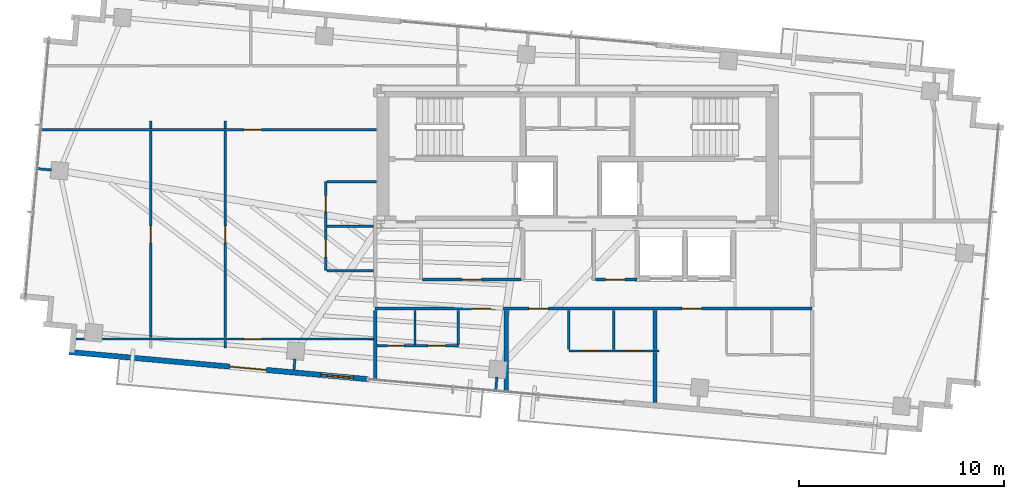
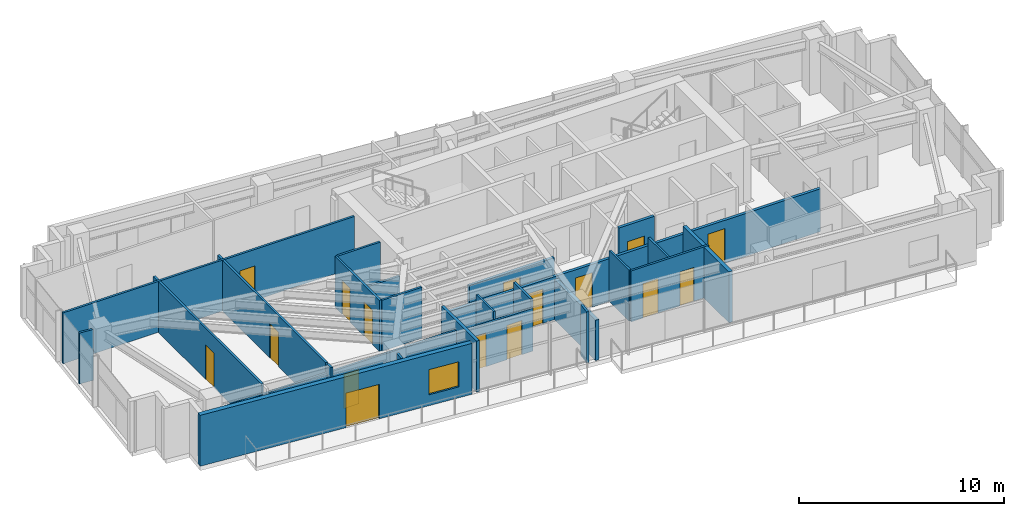
# One storey, part 16 of 22: 28 walls, 16 doors, 1 window, 17 openings.
"""IFC4 building model written with IfcOpenShell, lengths in metres."""

from ifc_helpers import new_model, si_unit, direction, frame, frame_2d, origin, place, context, subcontext, project, spatial, rectangle, extrude, source, transform, mapped, material, layer, layer_set, type_object, type_shapes, element, fill, save


model = new_model("IFC4")

# Units and contexts
model_context = context("Model", 3, precision=1e-05, world=origin(), true_north=direction((0.0, 1.0)))
body_context = subcontext(model_context, "Body", "Model", "MODEL_VIEW")
ifc_project = project(units=[si_unit("LENGTHUNIT", "METRE"), si_unit("AREAUNIT", "SQUARE_METRE"), si_unit("VOLUMEUNIT", "CUBIC_METRE"), si_unit("PLANEANGLEUNIT", "RADIAN"), si_unit("MASSUNIT", "GRAM", prefix="KILO")], contexts=[model_context])

# Site, building, storey
site_placement = place(None, origin())
site = spatial("IfcSite", under=ifc_project, at=site_placement, CompositionType="ELEMENT")
building_placement = place(site_placement, origin())
building = spatial("IfcBuilding", under=site, at=building_placement, Name="Astriad Promenade Condominiums", CompositionType="ELEMENT")
storey_placement = place(building_placement, frame((0.0, 0.0, 233.10009765625)))
storey = spatial("IfcBuildingStorey", under=building, at=storey_placement, Name="L67", CompositionType="ELEMENT", Elevation=233.10009765625)

# Wall, openings, doors
ifc_material_1 = material(Name="Fire-Rated Gypsum Partition")
ifc_layer_1 = layer(ifc_material_1, 0.159912109375)
ifc_layer_set_1 = layer_set([ifc_layer_1], Name="Fire-Rated Gypsum Partition")
wall_type_1 = type_object("IfcWallType", Name="WALL-CORR-160", PredefinedType="PARTITIONING", material=ifc_layer_set_1)
wall_1_placement = place(storey_placement, frame((26.1201171875, 13.280029296875, 0.0), z_axis=(0.0, 0.0, 1.0), x_axis=(1.0, 0.0, 0.0)))
wall_1 = element("IfcWall", 1, at=wall_1_placement, inside=storey, type_object=wall_type_1, Name="PT-COR-S-L67", PredefinedType="PARTITIONING", context=body_context, shape_type="SweptSolid", body=[
    extrude(rectangle(XDim=21.329833984375, YDim=0.159912109375, at=frame_2d((10.6650390625, 0.0))), origin(), (0.0, 0.0, 1.0), 2.555908203125),
])
opening_1_placement = place(wall_1_placement, frame((4.7041015625, 0.0, 0.0)))
opening_1 = element("IfcOpeningElement", 2, at=opening_1_placement, cuts=wall_1, Name="Opening FD60-APT-095", PredefinedType="OPENING", context=body_context, shape_type="SweptSolid", body=[
    extrude(rectangle(XDim=0.949951171875, YDim=2.06005859375, at=frame_2d((0.47509765625, 1.030029296875))), frame((0.0, 0.08984375, 0.0), z_axis=(0.0, -1.0, 0.0), x_axis=(1.0, 0.0, 0.0)), (0.0, 0.0, 1.0), 0.179931640625),
])
opening_2_placement = place(wall_1_placement, frame((7.5, 0.0, 0.0)))
opening_2 = element("IfcOpeningElement", 3, at=opening_2_placement, cuts=wall_1, Name="Opening FD60-APT-095", PredefinedType="OPENING", context=body_context, shape_type="SweptSolid", body=[
    extrude(rectangle(XDim=0.949951171875, YDim=2.06005859375, at=frame_2d((0.47509765625, 1.030029296875))), frame((0.0, 0.08984375, 0.0), z_axis=(0.0, -1.0, 0.0), x_axis=(1.0, 0.0, 0.0)), (0.0, 0.0, 1.0), 0.179931640625),
])
opening_3_placement = place(wall_1_placement, frame((14.97607421875, 0.0, 0.0)))
opening_3 = element("IfcOpeningElement", 4, at=opening_3_placement, cuts=wall_1, Name="Opening FD60-APT-095", PredefinedType="OPENING", context=body_context, shape_type="SweptSolid", body=[
    extrude(rectangle(XDim=0.949951171875, YDim=2.06005859375, at=frame_2d((0.47509765625, 1.030029296875))), frame((0.0, 0.08984375, 0.0), z_axis=(0.0, -1.0, 0.0), x_axis=(1.0, 0.0, 0.0)), (0.0, 0.0, 1.0), 0.179931640625),
])
ifc_material_2 = material(Name="Solid-Core Acoustic Timber Residence Entry Door", Category="wood")
door_type_1 = type_object("IfcDoorType", Name="FD60-APT-095", OperationType="NOTDEFINED", PredefinedType="DOOR", material=ifc_material_2)
shared_shape_1 = source(origin(), body_context, "Body", "SweptSolid", [
    extrude(rectangle(XDim=0.949951171875, YDim=2.06005859375, at=frame_2d((0.47509765625, 1.030029296875))), frame((0.0, 0.02490234375, 0.0), z_axis=(0.0, -1.0, 0.0), x_axis=(1.0, 0.0, 0.0)), (0.0, 0.0, 1.0), 0.050048828125),
])
type_shapes(door_type_1, [shared_shape_1])
door_1_placement = place(opening_1_placement, origin())
door_1 = element("IfcDoor", 5, at=door_1_placement, inside=storey, type_object=door_type_1, Name="D-ENT-L67-S1", OperationType="SINGLE_SWING_LEFT", OverallHeight=2.06005859375, OverallWidth=0.949951171875, PredefinedType="DOOR", context=body_context, shape_type="MappedRepresentation", body=[
    mapped(shared_shape_1, transform((0.0, 0.0, 0.0), scale=1.0)),
])
fill(opening_1, door_1)
door_2_placement = place(opening_2_placement, origin())
door_2 = element("IfcDoor", 6, at=door_2_placement, inside=storey, type_object=door_type_1, Name="D-ENT-L67-S2", OperationType="SINGLE_SWING_RIGHT", OverallHeight=2.06005859375, OverallWidth=0.949951171875, PredefinedType="DOOR", context=body_context, shape_type="MappedRepresentation", body=[
    mapped(shared_shape_1, transform((0.0, 0.0, 0.0), scale=1.0)),
])
fill(opening_2, door_2)
door_3_placement = place(opening_3_placement, origin())
door_3 = element("IfcDoor", 7, at=door_3_placement, inside=storey, type_object=door_type_1, Name="D-ENT-L67-S3", OperationType="SINGLE_SWING_LEFT", OverallHeight=2.06005859375, OverallWidth=0.949951171875, PredefinedType="DOOR", context=body_context, shape_type="MappedRepresentation", body=[
    mapped(shared_shape_1, transform((0.0, 0.0, 0.0), scale=1.0)),
])
fill(opening_3, door_3)

# Wall
wall_2_placement = place(storey_placement, frame((26.1201171875, 9.75146484375, 0.0), z_axis=(0.0, 0.0, 1.0), x_axis=(0.0, 1.0, 0.0)))
element("IfcWall", 8, at=wall_2_placement, inside=storey, type_object=wall_type_1, Name="PT-COR-W-L67", PredefinedType="PARTITIONING", context=body_context, shape_type="SweptSolid", body=[
    extrude(rectangle(XDim=3.446533203125, YDim=0.159912109375, at=frame_2d((1.72314453125, 0.0))), origin(), (0.0, 0.0, 1.0), 3.039794921875),
])

# Wall, opening, door
wall_3_placement = place(storey_placement, frame((28.44189453125, 14.699951171875, 0.0), z_axis=(0.0, 0.0, 1.0), x_axis=(1.0, 0.0, 0.0)))
wall_3 = element("IfcWall", 9, at=wall_3_placement, inside=storey, type_object=wall_type_1, Name="PT-Z3REC-S-L67", PredefinedType="PARTITIONING", context=body_context, shape_type="SweptSolid", body=[
    extrude(rectangle(XDim=4.796142578125, YDim=0.159912109375, at=frame_2d((2.39794921875, 0.0))), origin(), (0.0, 0.0, 1.0), 2.555908203125),
])
opening_4_placement = place(wall_3_placement, frame((1.923095703125, 0.0, 0.0)))
opening_4 = element("IfcOpeningElement", 10, at=opening_4_placement, cuts=wall_3, Name="Opening FD60-APT-095", PredefinedType="OPENING", context=body_context, shape_type="SweptSolid", body=[
    extrude(rectangle(XDim=0.949951171875, YDim=2.06005859375, at=frame_2d((0.47509765625, 1.030029296875))), frame((0.0, 0.08984375, 0.0), z_axis=(0.0, -1.0, 0.0), x_axis=(1.0, 0.0, 0.0)), (0.0, 0.0, 1.0), 0.179931640625),
])
door_4_placement = place(opening_4_placement, origin())
door_4 = element("IfcDoor", 11, at=door_4_placement, inside=storey, type_object=door_type_1, Name="D-Z3R-L67", OperationType="SINGLE_SWING_LEFT", OverallHeight=2.06005859375, OverallWidth=0.949951171875, PredefinedType="DOOR", context=body_context, shape_type="MappedRepresentation", body=[
    mapped(shared_shape_1, transform((0.0, 0.0, 0.0), scale=1.0)),
])
fill(opening_4, door_4)

wall_4_placement = place(storey_placement, frame((36.882080078125, 14.699951171875, 0.0), z_axis=(0.0, 0.0, 1.0), x_axis=(1.0, 0.0, 0.0)))
wall_4 = element("IfcWall", 12, at=wall_4_placement, inside=storey, type_object=wall_type_1, Name="PT-Z3R2-S-L67", PredefinedType="PARTITIONING", context=body_context, shape_type="SweptSolid", body=[
    extrude(rectangle(XDim=2.017822265625, YDim=0.159912109375, at=frame_2d((1.0087890625, 0.0))), origin(), (0.0, 0.0, 1.0), 3.039794921875),
])
opening_5_placement = place(wall_4_placement, frame((0.48291015625, 0.0, 0.0)))
opening_5 = element("IfcOpeningElement", 13, at=opening_5_placement, cuts=wall_4, Name="Opening FD60-APT-095", PredefinedType="OPENING", context=body_context, shape_type="SweptSolid", body=[
    extrude(rectangle(XDim=0.949951171875, YDim=2.06005859375, at=frame_2d((0.47509765625, 1.030029296875))), frame((0.0, 0.08984375, 0.0), z_axis=(0.0, -1.0, 0.0), x_axis=(1.0, 0.0, 0.0)), (0.0, 0.0, 1.0), 0.179931640625),
])
door_5_placement = place(opening_5_placement, origin())
door_5 = element("IfcDoor", 14, at=door_5_placement, inside=storey, type_object=door_type_1, Name="D-Z3N-L67", OperationType="SINGLE_SWING_RIGHT", OverallHeight=2.06005859375, OverallWidth=0.949951171875, PredefinedType="DOOR", context=body_context, shape_type="MappedRepresentation", body=[
    mapped(shared_shape_1, transform((0.0, 0.0, 0.0), scale=1.0)),
])
fill(opening_5, door_5)

# Walls
ifc_material_3 = material(Name="Acoustic Double-Stud Gypsum Partition")
ifc_layer_2 = layer(ifc_material_3, 0.199951171875)
ifc_layer_set_2 = layer_set([ifc_layer_2], Name="Acoustic Double-Stud Gypsum Partition")
wall_type_2 = type_object("IfcWallType", Name="WALL-DEMISING-200", PredefinedType="PARTITIONING", material=ifc_layer_set_2)
wall_5_placement = place(storey_placement, frame((32.51904296875, 9.169189453125, 0.0), z_axis=(0.0, 0.0, 1.0), x_axis=(0.0, 1.0, 0.0)))
element("IfcWall", 15, at=wall_5_placement, inside=storey, type_object=wall_type_2, Name="PT-DEM-S1-L67", PredefinedType="PARTITIONING", context=body_context, shape_type="SweptSolid", body=[
    extrude(rectangle(XDim=4.02880859375, YDim=0.199951171875, at=frame_2d((2.014404296875, 0.0))), origin(), (0.0, 0.0, 1.0), 2.400146484375),
])
wall_6_placement = place(storey_placement, frame((39.77099609375, 8.69189453125, 0.0), z_axis=(0.0, 0.0, 1.0), x_axis=(0.0, 1.0, 0.0)))
element("IfcWall", 16, at=wall_6_placement, inside=storey, type_object=wall_type_2, Name="PT-DEM-S2-L67", PredefinedType="PARTITIONING", context=body_context, shape_type="SweptSolid", body=[
    extrude(rectangle(XDim=2.45703125, YDim=0.199951171875, at=frame_2d((1.228515625, 0.0))), origin(), (0.0, 0.0, 1.0), 3.039794921875),
])
wall_7_placement = place(storey_placement, frame((39.77099609375, 11.27294921875, 0.0), z_axis=(0.0, 0.0, 1.0), x_axis=(0.0, 1.0, 0.0)))
element("IfcWall", 17, at=wall_7_placement, inside=storey, type_object=wall_type_2, Name="PT-DEM-S2-L67-S2", PredefinedType="PARTITIONING", context=body_context, shape_type="SweptSolid", body=[
    extrude(rectangle(XDim=1.925048828125, YDim=0.199951171875, at=frame_2d((0.96240234375, 0.0))), origin(), (0.0, 0.0, 1.0), 3.039794921875),
])

# Wall, openings, door, window
ifc_material_4 = material(Name="Precast concrete C50/60", Category="concrete")
ifc_layer_3 = layer(ifc_material_4, 0.260009765625)
ifc_layer_set_3 = layer_set([ifc_layer_3], Name="Precast concrete C50/60")
wall_type_3 = type_object("IfcWallType", Name="WALL-EXT-TWR-260", PredefinedType="STANDARD", material=ifc_layer_set_3)
wall_8_placement = place(storey_placement, frame((25.760986328125, 9.83447265625, 0.0), z_axis=(0.0, 0.0, 1.0), x_axis=(-0.995884584572, 0.090630536861, 0.0)))
wall_8 = element("IfcWall", 18, at=wall_8_placement, inside=storey, type_object=wall_type_3, Name="W-EXT-L67-S2", PredefinedType="STANDARD", context=body_context, shape_type="SweptSolid", body=[
    extrude(rectangle(XDim=14.630126953125, YDim=0.260009765625, at=frame_2d((7.31494140625, 0.0))), origin(), (0.0, 0.0, 1.0), 3.039794921875),
])
opening_6_placement = place(wall_8_placement, frame((4.969970703125, 0.0, 0.0)))
opening_6 = element("IfcOpeningElement", 19, at=opening_6_placement, cuts=wall_8, Name="Opening BD-1822-SLD", PredefinedType="OPENING", context=body_context, shape_type="SweptSolid", body=[
    extrude(rectangle(XDim=1.800048828125, YDim=2.06005859375, at=frame_2d((0.89990234375, 1.030029296875))), frame((0.0, 0.139892578125, 0.0), z_axis=(0.0, -1.0, 0.0), x_axis=(1.0, 0.0, 0.0)), (0.0, 0.0, 1.0), 0.280029296875),
])
opening_7_placement = place(wall_8_placement, frame((0.699951171875, 0.0, 0.64990234375)))
opening_7 = element("IfcOpeningElement", 20, at=opening_7_placement, cuts=wall_8, Name="Opening WIN-TWR-1620", PredefinedType="OPENING", context=body_context, shape_type="SweptSolid", body=[
    extrude(rectangle(XDim=1.60009765625, YDim=1.5, at=frame_2d((0.800048828125, 0.75))), frame((0.0, 0.139892578125, 0.0), z_axis=(0.0, -1.0, 0.0), x_axis=(1.0, 0.0, 0.0)), (0.0, 0.0, 1.0), 0.280029296875),
])
ifc_material_5 = material(Name="Thermally Broken Aluminium Sliding Balcony Door", Category="aluminium")
door_type_2 = type_object("IfcDoorType", Name="BD-1822-SLD", OperationType="NOTDEFINED", PredefinedType="DOOR", material=ifc_material_5)
shared_shape_2 = source(origin(), body_context, "Body", "SweptSolid", [
    extrude(rectangle(XDim=1.800048828125, YDim=2.06005859375, at=frame_2d((0.89990234375, 1.030029296875))), frame((0.0, 0.02490234375, 0.0), z_axis=(0.0, -1.0, 0.0), x_axis=(1.0, 0.0, 0.0)), (0.0, 0.0, 1.0), 0.050048828125),
])
type_shapes(door_type_2, [shared_shape_2])
door_6_placement = place(opening_6_placement, origin())
door_6 = element("IfcDoor", 21, at=door_6_placement, inside=storey, type_object=door_type_2, Name="BD-L67-SW", OperationType="SLIDING_TO_LEFT", OverallHeight=2.06005859375, OverallWidth=1.800048828125, PredefinedType="DOOR", context=body_context, shape_type="MappedRepresentation", body=[
    mapped(shared_shape_2, transform((0.0, 0.0, 0.0), scale=1.0)),
])
fill(opening_6, door_6)
ifc_material_6 = material(Name="Dark Tinted Triple-Glazed Aluminium Window", Category="aluminium")
window_type = type_object("IfcWindowType", Name="WIN-TWR-1620", PartitioningType="SINGLE_PANEL", PredefinedType="WINDOW", material=ifc_material_6)
shared_shape_3 = source(origin(), body_context, "Body", "SweptSolid", [
    extrude(rectangle(XDim=1.60009765625, YDim=1.5, at=frame_2d((0.800048828125, 0.75))), frame((0.0, 0.030029296875, 0.0), z_axis=(0.0, -1.0, 0.0), x_axis=(1.0, 0.0, 0.0)), (0.0, 0.0, 1.0), 0.06005859375),
])
type_shapes(window_type, [shared_shape_3])
window_placement = place(opening_7_placement, origin())
window = element("IfcWindow", 22, at=window_placement, inside=storey, type_object=window_type, Name="WIN-L67-SW", OverallHeight=1.5, OverallWidth=1.60009765625, PartitioningType="SINGLE_PANEL", PredefinedType="WINDOW", context=body_context, shape_type="MappedRepresentation", body=[
    mapped(shared_shape_3, transform((0.0, 0.0, 0.0), scale=1.0)),
])
fill(opening_7, window)

# Wall, openings, doors
ifc_material_7 = material(Name="Acoustic Metal-Stud Gypsum Partition")
ifc_layer_4 = layer(ifc_material_7, 0.1201171875)
ifc_layer_set_4 = layer_set([ifc_layer_4], Name="Acoustic Metal-Stud Gypsum Partition")
wall_type_4 = type_object("IfcWallType", Name="WALL-PART-120", PredefinedType="PARTITIONING", material=ifc_layer_set_4)
wall_9_placement = place(storey_placement, frame((26.201904296875, 11.4599609375, 0.0), z_axis=(0.0, 0.0, 1.0), x_axis=(1.0, 0.0, 0.0)))
wall_9 = element("IfcWall", 23, at=wall_9_placement, inside=storey, type_object=wall_type_4, Name="PT-L67-S1-PS", PredefinedType="PARTITIONING", context=body_context, shape_type="SweptSolid", body=[
    extrude(rectangle(XDim=3.97802734375, YDim=0.1201171875, at=frame_2d((1.989013671875, 0.0))), origin(), (0.0, 0.0, 1.0), 2.555908203125),
])
opening_8_placement = place(wall_9_placement, frame((0.531005859375, 0.0, 0.0)))
opening_8 = element("IfcOpeningElement", 24, at=opening_8_placement, cuts=wall_9, Name="Opening D-WET-080", PredefinedType="OPENING", context=body_context, shape_type="SweptSolid", body=[
    extrude(rectangle(XDim=0.800048828125, YDim=2.02001953125, at=frame_2d((0.39990234375, 1.010009765625))), frame((0.0, 0.070068359375, 0.0), z_axis=(0.0, -1.0, 0.0), x_axis=(1.0, 0.0, 0.0)), (0.0, 0.0, 1.0), 0.14013671875),
])
opening_9_placement = place(wall_9_placement, frame((2.49609375, 0.0, 0.0)))
opening_9 = element("IfcOpeningElement", 25, at=opening_9_placement, cuts=wall_9, Name="Opening D-INT-085", PredefinedType="OPENING", context=body_context, shape_type="SweptSolid", body=[
    extrude(rectangle(XDim=0.85009765625, YDim=2.050048828125, at=frame_2d((0.425048828125, 1.02490234375))), frame((0.0, 0.070068359375, 0.0), z_axis=(0.0, -1.0, 0.0), x_axis=(1.0, 0.0, 0.0)), (0.0, 0.0, 1.0), 0.14013671875),
])
ifc_material_8 = material(Name="Moisture-Resistant Timber Bathroom Door", Category="wood")
door_type_3 = type_object("IfcDoorType", Name="D-WET-080", OperationType="NOTDEFINED", PredefinedType="DOOR", material=ifc_material_8)
shared_shape_4 = source(origin(), body_context, "Body", "SweptSolid", [
    extrude(rectangle(XDim=0.800048828125, YDim=2.02001953125, at=frame_2d((0.39990234375, 1.010009765625))), frame((0.0, 0.02490234375, 0.0), z_axis=(0.0, -1.0, 0.0), x_axis=(1.0, 0.0, 0.0)), (0.0, 0.0, 1.0), 0.050048828125),
])
type_shapes(door_type_3, [shared_shape_4])
door_7_placement = place(opening_8_placement, origin())
door_7 = element("IfcDoor", 26, at=door_7_placement, inside=storey, type_object=door_type_3, Name="D-BTH-L67-S1", OperationType="SINGLE_SWING_RIGHT", OverallHeight=2.02001953125, OverallWidth=0.800048828125, PredefinedType="DOOR", context=body_context, shape_type="MappedRepresentation", body=[
    mapped(shared_shape_4, transform((0.0, 0.0, 0.0), scale=1.0)),
])
fill(opening_8, door_7)
ifc_material_9 = material(Name="Painted Solid-Core Timber Room Door", Category="wood")
door_type_4 = type_object("IfcDoorType", Name="D-INT-085", OperationType="NOTDEFINED", PredefinedType="DOOR", material=ifc_material_9)
shared_shape_5 = source(origin(), body_context, "Body", "SweptSolid", [
    extrude(rectangle(XDim=0.85009765625, YDim=2.050048828125, at=frame_2d((0.425048828125, 1.02490234375))), frame((0.0, 0.02490234375, 0.0), z_axis=(0.0, -1.0, 0.0), x_axis=(1.0, 0.0, 0.0)), (0.0, 0.0, 1.0), 0.050048828125),
])
type_shapes(door_type_4, [shared_shape_5])
door_8_placement = place(opening_9_placement, origin())
door_8 = element("IfcDoor", 27, at=door_8_placement, inside=storey, type_object=door_type_4, Name="D-KIT-L67-S1", OperationType="SINGLE_SWING_LEFT", OverallHeight=2.050048828125, OverallWidth=0.85009765625, PredefinedType="DOOR", context=body_context, shape_type="MappedRepresentation", body=[
    mapped(shared_shape_5, transform((0.0, 0.0, 0.0), scale=1.0)),
])
fill(opening_9, door_8)

# Walls
for number, where, z_axis, x_axis, name in (
    (28, (30.179931640625, 11.52197265625, 0.0), (0.0, 0.0, 1.0), (0.0, 1.0, 0.0), "PT-L67-S1-PK"),
    (29, (28.06591796875, 11.52197265625, 0.0), (0.0, 0.0, 1.0), (0.0, 1.0, 0.0), "PT-L67-S1-PB"),
):
    element("IfcWall", number, at=place(storey_placement, frame(where, z_axis=z_axis, x_axis=x_axis)), inside=storey, type_object=wall_type_4, Name=name, PredefinedType="PARTITIONING", context=body_context, shape_type="SweptSolid", body=[
        extrude(rectangle(XDim=1.676025390625, YDim=0.1201171875, at=frame_2d((0.837890625, 0.0))), origin(), (0.0, 0.0, 1.0), 3.039794921875),
    ])

# Wall, openings, doors
wall_10_placement = place(storey_placement, frame((35.571044921875, 11.2109375, 0.0), z_axis=(0.0, 0.0, 1.0), x_axis=(1.0, 0.0, 0.0)))
wall_10 = element("IfcWall", 30, at=wall_10_placement, inside=storey, type_object=wall_type_4, Name="PT-L67-S2-PS", PredefinedType="PARTITIONING", context=body_context, shape_type="SweptSolid", body=[
    extrude(rectangle(XDim=4.39990234375, YDim=0.1201171875, at=frame_2d((2.199951171875, 0.0))), origin(), (0.0, 0.0, 1.0), 3.039794921875),
])
opening_10_placement = place(wall_10_placement, frame((0.675048828125, 0.0, 0.0)))
opening_10 = element("IfcOpeningElement", 31, at=opening_10_placement, cuts=wall_10, Name="Opening D-INT-085", PredefinedType="OPENING", context=body_context, shape_type="SweptSolid", body=[
    extrude(rectangle(XDim=0.85009765625, YDim=2.050048828125, at=frame_2d((0.425048828125, 1.02490234375))), frame((0.0, 0.070068359375, 0.0), z_axis=(0.0, -1.0, 0.0), x_axis=(1.0, 0.0, 0.0)), (0.0, 0.0, 1.0), 0.14013671875),
])
opening_11_placement = place(wall_10_placement, frame((2.75, 0.0, 0.0)))
opening_11 = element("IfcOpeningElement", 32, at=opening_11_placement, cuts=wall_10, Name="Opening D-WET-080", PredefinedType="OPENING", context=body_context, shape_type="SweptSolid", body=[
    extrude(rectangle(XDim=0.800048828125, YDim=2.02001953125, at=frame_2d((0.39990234375, 1.010009765625))), frame((0.0, 0.070068359375, 0.0), z_axis=(0.0, -1.0, 0.0), x_axis=(1.0, 0.0, 0.0)), (0.0, 0.0, 1.0), 0.14013671875),
])
door_9_placement = place(opening_11_placement, origin())
door_9 = element("IfcDoor", 33, at=door_9_placement, inside=storey, type_object=door_type_3, Name="D-BTH-L67-S2", OperationType="SINGLE_SWING_RIGHT", OverallHeight=2.02001953125, OverallWidth=0.800048828125, PredefinedType="DOOR", context=body_context, shape_type="MappedRepresentation", body=[
    mapped(shared_shape_4, transform((0.0, 0.0, 0.0), scale=1.0)),
])
fill(opening_11, door_9)
door_10_placement = place(opening_10_placement, origin())
door_10 = element("IfcDoor", 34, at=door_10_placement, inside=storey, type_object=door_type_4, Name="D-KIT-L67-S2", OperationType="SINGLE_SWING_LEFT", OverallHeight=2.050048828125, OverallWidth=0.85009765625, PredefinedType="DOOR", context=body_context, shape_type="MappedRepresentation", body=[
    mapped(shared_shape_5, transform((0.0, 0.0, 0.0), scale=1.0)),
])
fill(opening_10, door_10)

# Walls
for number, where, z_axis, x_axis, name in (
    (35, (35.571044921875, 11.27294921875, 0.0), (0.0, 0.0, 1.0), (0.0, 1.0, 0.0), "PT-L67-S2-PK"),
    (36, (37.77099609375, 11.27294921875, 0.0), (0.0, 0.0, 1.0), (0.0, 1.0, 0.0), "PT-L67-S2-PB"),
):
    element("IfcWall", number, at=place(storey_placement, frame(where, z_axis=z_axis, x_axis=x_axis)), inside=storey, type_object=wall_type_4, Name=name, PredefinedType="PARTITIONING", context=body_context, shape_type="SweptSolid", body=[
        extrude(rectangle(XDim=1.925048828125, YDim=0.1201171875, at=frame_2d((0.96240234375, 0.0))), origin(), (0.0, 0.0, 1.0), 3.039794921875),
    ])

# Wall, openings, doors
wall_11_placement = place(storey_placement, frame((23.719970703125, 15.1298828125, 0.0), z_axis=(0.0, 0.0, 1.0), x_axis=(0.0, 1.0, 0.0)))
wall_11 = element("IfcWall", 37, at=wall_11_placement, inside=storey, type_object=wall_type_4, Name="PT-L67-W1-PV", PredefinedType="PARTITIONING", context=body_context, shape_type="SweptSolid", body=[
    extrude(rectangle(XDim=4.35009765625, YDim=0.1201171875, at=frame_2d((2.175048828125, 0.0))), origin(), (0.0, 0.0, 1.0), 3.039794921875),
])
opening_12_placement = place(wall_11_placement, frame((0.6630859375, 0.0, 0.0)))
opening_12 = element("IfcOpeningElement", 38, at=opening_12_placement, cuts=wall_11, Name="Opening D-INT-085", PredefinedType="OPENING", context=body_context, shape_type="SweptSolid", body=[
    extrude(rectangle(XDim=0.85009765625, YDim=2.050048828125, at=frame_2d((0.425048828125, 1.02490234375))), frame((0.0, 0.070068359375, 0.0), z_axis=(0.0, -1.0, 0.0), x_axis=(1.0, 0.0, 0.0)), (0.0, 0.0, 1.0), 0.14013671875),
])
opening_13_placement = place(wall_11_placement, frame((2.862060546875, 0.0, 0.0)))
opening_13 = element("IfcOpeningElement", 39, at=opening_13_placement, cuts=wall_11, Name="Opening D-WET-080", PredefinedType="OPENING", context=body_context, shape_type="SweptSolid", body=[
    extrude(rectangle(XDim=0.800048828125, YDim=2.02001953125, at=frame_2d((0.39990234375, 1.010009765625))), frame((0.0, 0.070068359375, 0.0), z_axis=(0.0, -1.0, 0.0), x_axis=(1.0, 0.0, 0.0)), (0.0, 0.0, 1.0), 0.14013671875),
])
door_11_placement = place(opening_13_placement, origin())
door_11 = element("IfcDoor", 40, at=door_11_placement, inside=storey, type_object=door_type_3, Name="D-BTH-L67-W1", OperationType="SINGLE_SWING_RIGHT", OverallHeight=2.02001953125, OverallWidth=0.800048828125, PredefinedType="DOOR", context=body_context, shape_type="MappedRepresentation", body=[
    mapped(shared_shape_4, transform((0.0, 0.0, 0.0), scale=1.0)),
])
fill(opening_13, door_11)
door_12_placement = place(opening_12_placement, origin())
door_12 = element("IfcDoor", 41, at=door_12_placement, inside=storey, type_object=door_type_4, Name="D-KIT-L67-W1", OperationType="SINGLE_SWING_LEFT", OverallHeight=2.050048828125, OverallWidth=0.85009765625, PredefinedType="DOOR", context=body_context, shape_type="MappedRepresentation", body=[
    mapped(shared_shape_5, transform((0.0, 0.0, 0.0), scale=1.0)),
])
fill(opening_12, door_12)

# Walls
wall_12_placement = place(storey_placement, frame((23.781982421875, 17.304931640625, 0.0), z_axis=(0.0, 0.0, 1.0), x_axis=(1.0, 0.0, 0.0)))
element("IfcWall", 42, at=wall_12_placement, inside=storey, type_object=wall_type_4, Name="PT-L67-W1-PM", PredefinedType="PARTITIONING", context=body_context, shape_type="SweptSolid", body=[
    extrude(rectangle(XDim=2.256103515625, YDim=0.1201171875, at=frame_2d((1.1279296875, 0.0))), origin(), (0.0, 0.0, 1.0), 2.38134765625),
])
wall_13_placement = place(storey_placement, frame((23.781982421875, 15.1298828125, 0.0), z_axis=(0.0, 0.0, 1.0), x_axis=(1.0, 0.0, 0.0)))
element("IfcWall", 43, at=wall_13_placement, inside=storey, type_object=wall_type_4, Name="PT-L67-W1-PS", PredefinedType="PARTITIONING", context=body_context, shape_type="SweptSolid", body=[
    extrude(rectangle(XDim=2.256103515625, YDim=0.1201171875, at=frame_2d((1.1279296875, 0.0))), origin(), (0.0, 0.0, 1.0), 3.039794921875),
])
wall_14_placement = place(storey_placement, frame((23.781982421875, 19.47998046875, 0.0), z_axis=(0.0, 0.0, 1.0), x_axis=(1.0, 0.0, 0.0)))
element("IfcWall", 44, at=wall_14_placement, inside=storey, type_object=wall_type_4, Name="PT-L67-W1-PN", PredefinedType="PARTITIONING", context=body_context, shape_type="SweptSolid", body=[
    extrude(rectangle(XDim=2.416015625, YDim=0.1201171875, at=frame_2d((1.2080078125, 0.0))), origin(), (0.0, 0.0, 1.0), 3.039794921875),
])

# Wall, opening, door
wall_15_placement = place(storey_placement, frame((9.747802734375, 22.0009765625, 0.0), z_axis=(0.0, 0.0, 1.0), x_axis=(1.0, 0.0, 0.0)))
wall_15 = element("IfcWall", 45, at=wall_15_placement, inside=storey, type_object=wall_type_4, Name="PT-L67-W1-WDN1", PredefinedType="PARTITIONING", context=body_context, shape_type="SweptSolid", body=[
    extrude(rectangle(XDim=16.4501953125, YDim=0.1201171875, at=frame_2d((8.22509765625, 0.0))), origin(), (0.0, 0.0, 1.0), 3.039794921875),
])
opening_14_placement = place(wall_15_placement, frame((9.97412109375, 0.0, 0.0)))
opening_14 = element("IfcOpeningElement", 46, at=opening_14_placement, cuts=wall_15, Name="Opening D-INT-085", PredefinedType="OPENING", context=body_context, shape_type="SweptSolid", body=[
    extrude(rectangle(XDim=0.85009765625, YDim=2.050048828125, at=frame_2d((0.425048828125, 1.02490234375))), frame((0.0, 0.070068359375, 0.0), z_axis=(0.0, -1.0, 0.0), x_axis=(1.0, 0.0, 0.0)), (0.0, 0.0, 1.0), 0.14013671875),
])
door_13_placement = place(opening_14_placement, origin())
door_13 = element("IfcDoor", 47, at=door_13_placement, inside=storey, type_object=door_type_4, Name="D-WDN1-L67-W1", OperationType="SINGLE_SWING_RIGHT", OverallHeight=2.050048828125, OverallWidth=0.85009765625, PredefinedType="DOOR", context=body_context, shape_type="MappedRepresentation", body=[
    mapped(shared_shape_5, transform((0.0, 0.0, 0.0), scale=1.0)),
])
fill(opening_14, door_13)

wall_16_placement = place(storey_placement, frame((11.51220703125, 11.7958984375, 0.0), z_axis=(0.0, 0.0, 1.0), x_axis=(1.0, 0.0, 0.0)))
wall_16 = element("IfcWall", 48, at=wall_16_placement, inside=storey, type_object=wall_type_4, Name="PT-L67-W1-WDS2", PredefinedType="PARTITIONING", context=body_context, shape_type="SweptSolid", body=[
    extrude(rectangle(XDim=14.52587890625, YDim=0.1201171875, at=frame_2d((7.262939453125, 0.0))), origin(), (0.0, 0.0, 1.0), 2.482421875),
])
opening_15_placement = place(wall_16_placement, frame((8.209716796875, 0.0, 0.0)))
opening_15 = element("IfcOpeningElement", 49, at=opening_15_placement, cuts=wall_16, Name="Opening D-INT-085", PredefinedType="OPENING", context=body_context, shape_type="SweptSolid", body=[
    extrude(rectangle(XDim=0.85009765625, YDim=2.050048828125, at=frame_2d((0.425048828125, 1.02490234375))), frame((0.0, 0.070068359375, 0.0), z_axis=(0.0, -1.0, 0.0), x_axis=(1.0, 0.0, 0.0)), (0.0, 0.0, 1.0), 0.14013671875),
])
door_14_placement = place(opening_15_placement, origin())
door_14 = element("IfcDoor", 50, at=door_14_placement, inside=storey, type_object=door_type_4, Name="D-WDS2-L67-W1", OperationType="SINGLE_SWING_LEFT", OverallHeight=2.050048828125, OverallWidth=0.85009765625, PredefinedType="DOOR", context=body_context, shape_type="MappedRepresentation", body=[
    mapped(shared_shape_5, transform((0.0, 0.0, 0.0), scale=1.0)),
])
fill(opening_15, door_14)

wall_17_placement = place(storey_placement, frame((15.172119140625, 11.85791015625, 0.0), z_axis=(0.0, 0.0, 1.0), x_axis=(0.0, 1.0, 0.0)))
wall_17 = element("IfcWall", 51, at=wall_17_placement, inside=storey, type_object=wall_type_4, Name="PT-L67-W1-WDV3-S2", PredefinedType="PARTITIONING", context=body_context, shape_type="SweptSolid", body=[
    extrude(rectangle(XDim=10.0810546875, YDim=0.1201171875, at=frame_2d((5.04052734375, 0.0))), origin(), (0.0, 0.0, 1.0), 3.039794921875),
])
opening_16_placement = place(wall_17_placement, frame((4.614990234375, 0.0, 0.0)))
opening_16 = element("IfcOpeningElement", 52, at=opening_16_placement, cuts=wall_17, Name="Opening D-INT-085", PredefinedType="OPENING", context=body_context, shape_type="SweptSolid", body=[
    extrude(rectangle(XDim=0.85009765625, YDim=2.050048828125, at=frame_2d((0.425048828125, 1.02490234375))), frame((0.0, 0.070068359375, 0.0), z_axis=(0.0, -1.0, 0.0), x_axis=(1.0, 0.0, 0.0)), (0.0, 0.0, 1.0), 0.14013671875),
])
door_15_placement = place(opening_16_placement, origin())
door_15 = element("IfcDoor", 53, at=door_15_placement, inside=storey, type_object=door_type_4, Name="D-WDV3-L67-W1", OperationType="SINGLE_SWING_RIGHT", OverallHeight=2.050048828125, OverallWidth=0.85009765625, PredefinedType="DOOR", context=body_context, shape_type="MappedRepresentation", body=[
    mapped(shared_shape_5, transform((0.0, 0.0, 0.0), scale=1.0)),
])
fill(opening_16, door_15)

# Walls
for number, where, z_axis, x_axis, name in (
    (54, (15.172119140625, 22.06298828125, 0.0), (0.0, 0.0, 1.0), (0.0, 1.0, 0.0), "PT-L67-W1-WDV3-S3"),
    (55, (18.797119140625, 11.35595703125, 0.0), (0.0, 0.0, 1.0), (0.0, 1.0, 0.0), "PT-L67-W1-WDV4"),
):
    element("IfcWall", number, at=place(storey_placement, frame(where, z_axis=z_axis, x_axis=x_axis)), inside=storey, type_object=wall_type_4, Name=name, PredefinedType="PARTITIONING", context=body_context, shape_type="SweptSolid", body=[
        extrude(rectangle(XDim=0.3779296875, YDim=0.1201171875, at=frame_2d((0.18896484375, 0.0))), origin(), (0.0, 0.0, 1.0), 3.039794921875),
    ])

# Wall, opening, door
wall_18_placement = place(storey_placement, frame((18.797119140625, 11.85791015625, 0.0), z_axis=(0.0, 0.0, 1.0), x_axis=(0.0, 1.0, 0.0)))
wall_18 = element("IfcWall", 56, at=wall_18_placement, inside=storey, type_object=wall_type_4, Name="PT-L67-W1-WDV4-S2", PredefinedType="PARTITIONING", context=body_context, shape_type="SweptSolid", body=[
    extrude(rectangle(XDim=10.0810546875, YDim=0.1201171875, at=frame_2d((5.04052734375, 0.0))), origin(), (0.0, 0.0, 1.0), 3.039794921875),
])
opening_17_placement = place(wall_18_placement, frame((4.614990234375, 0.0, 0.0)))
opening_17 = element("IfcOpeningElement", 57, at=opening_17_placement, cuts=wall_18, Name="Opening D-INT-085", PredefinedType="OPENING", context=body_context, shape_type="SweptSolid", body=[
    extrude(rectangle(XDim=0.85009765625, YDim=2.050048828125, at=frame_2d((0.425048828125, 1.02490234375))), frame((0.0, 0.070068359375, 0.0), z_axis=(0.0, -1.0, 0.0), x_axis=(1.0, 0.0, 0.0)), (0.0, 0.0, 1.0), 0.14013671875),
])
door_16_placement = place(opening_17_placement, origin())
door_16 = element("IfcDoor", 58, at=door_16_placement, inside=storey, type_object=door_type_4, Name="D-WDV4-L67-W1", OperationType="SINGLE_SWING_LEFT", OverallHeight=2.050048828125, OverallWidth=0.85009765625, PredefinedType="DOOR", context=body_context, shape_type="MappedRepresentation", body=[
    mapped(shared_shape_5, transform((0.0, 0.0, 0.0), scale=1.0)),
])
fill(opening_17, door_16)

# Walls
wall_19_placement = place(storey_placement, frame((18.797119140625, 22.06298828125, 0.0), z_axis=(0.0, 0.0, 1.0), x_axis=(0.0, 1.0, 0.0)))
element("IfcWall", 59, at=wall_19_placement, inside=storey, type_object=wall_type_4, Name="PT-L67-W1-WDV4-S3", PredefinedType="PARTITIONING", context=body_context, shape_type="SweptSolid", body=[
    extrude(rectangle(XDim=0.3779296875, YDim=0.1201171875, at=frame_2d((0.18896484375, 0.0))), origin(), (0.0, 0.0, 1.0), 3.039794921875),
])
wall_20_placement = place(storey_placement, frame((22.206787109375, 10.83056640625, 0.0), z_axis=(0.0, 0.0, 1.0), x_axis=(-0.090781299264, -0.995870852924, 0.0)))
element("IfcWall", 60, at=wall_20_placement, inside=storey, type_object=wall_type_4, Name="PT-PIL-L67-PC02-9", PredefinedType="PARTITIONING", context=body_context, shape_type="SweptSolid", body=[
    extrude(rectangle(XDim=0.537841796875, YDim=0.1201171875, at=frame_2d((0.26904296875, 0.0))), origin(), (0.0, 0.0, 1.0), 3.039794921875),
])
wall_21_placement = place(storey_placement, frame((32.06591796875, 9.933349609375, 0.0), z_axis=(0.0, 0.0, 1.0), x_axis=(-0.090872036342, -0.995862577373, 0.0)))
element("IfcWall", 61, at=wall_21_placement, inside=storey, type_object=wall_type_4, Name="PT-PIL-L67-PC03-10", PredefinedType="PARTITIONING", context=body_context, shape_type="SweptSolid", body=[
    extrude(rectangle(XDim=0.719970703125, YDim=0.1201171875, at=frame_2d((0.35986328125, 0.0))), origin(), (0.0, 0.0, 1.0), 3.039794921875),
])
wall_22_placement = place(storey_placement, frame((10.3330078125, 20.044677734375, 0.0), z_axis=(0.0, 0.0, 1.0), x_axis=(-0.995890573658, 0.09056470228, 0.0)))
element("IfcWall", 62, at=wall_22_placement, inside=storey, type_object=wall_type_4, Name="PT-PIL-L67-PC11-18", PredefinedType="PARTITIONING", context=body_context, shape_type="SweptSolid", body=[
    extrude(rectangle(XDim=0.76025390625, YDim=0.1201171875, at=frame_2d((0.380126953125, 0.0))), origin(), (0.0, 0.0, 1.0), 3.039794921875),
])

save(model, "model.ifc")
